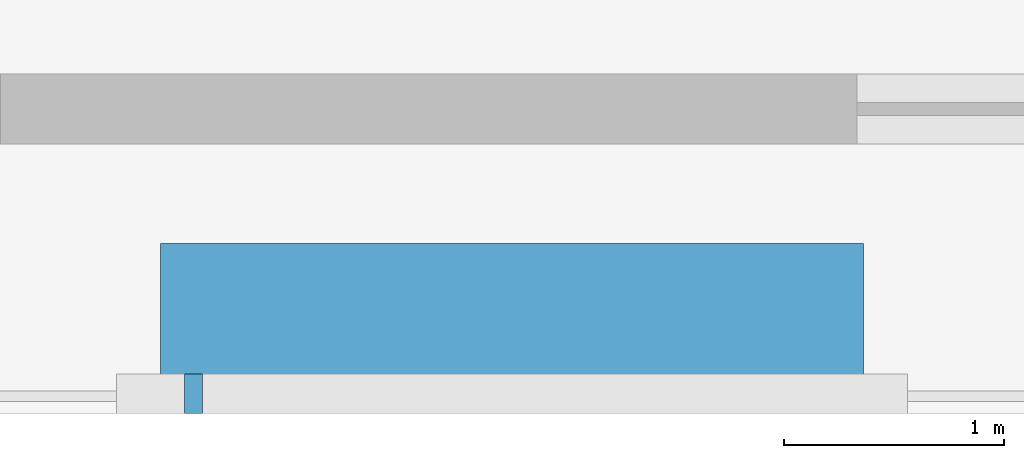
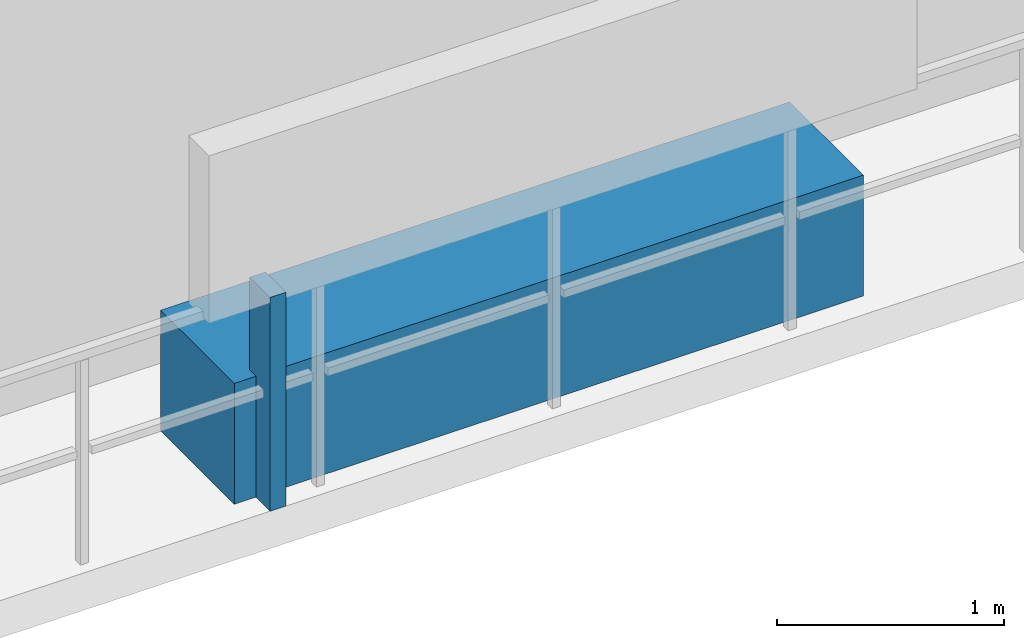
# One storey, part 30 of 35: 2 discrete accessories.
"""IFC4 building model written with IfcOpenShell, lengths in metres."""

from ifc_helpers import new_model, si_unit, direction, frame, origin, origin_2d, place, context, subcontext, project, spatial, rectangle, extrude, material, type_object, element, save


model = new_model("IFC4")

# Units and contexts
model_context = context("Model", 3, precision=1e-05, world=origin(), true_north=direction((0.0, 1.0)))
body_context = subcontext(model_context, "Body", "Model", "MODEL_VIEW")
ifc_project = project(units=[si_unit("LENGTHUNIT", "METRE"), si_unit("AREAUNIT", "SQUARE_METRE"), si_unit("VOLUMEUNIT", "CUBIC_METRE"), si_unit("PLANEANGLEUNIT", "RADIAN"), si_unit("MASSUNIT", "GRAM", prefix="KILO")], contexts=[model_context])

# Site, building, storey
site_placement = place(None, origin())
site = spatial("IfcSite", under=ifc_project, at=site_placement, CompositionType="ELEMENT")
building_placement = place(site_placement, origin())
building = spatial("IfcBuilding", under=site, at=building_placement, Name="Thornwick Lancets Civic Towers", CompositionType="ELEMENT")
storey_placement = place(building_placement, frame((0.0, 0.0, 269.10009765625)))
storey = spatial("IfcBuildingStorey", under=building, at=storey_placement, Name="L72", CompositionType="ELEMENT", Elevation=269.10009765625)

# Discrete accessories
ifc_material_1 = material(Name="Planted terracotta greenery planter", Category="masonry")
discrete_accessory_type_1 = type_object("IfcDiscreteAccessoryType", Name="ACC_PLANTER_BOX", PredefinedType="USERDEFINED", material=ifc_material_1)
discrete_accessory_1_placement = place(storey_placement, frame((25.5, 2.300048828125, 0.0), z_axis=(0.0, 0.0, 1.0), x_axis=(1.0, 0.0, 0.0)))
element("IfcDiscreteAccessory", 1, at=discrete_accessory_1_placement, inside=storey, type_object=discrete_accessory_type_1, Name="L72 Tower A Balcony Greenery Planter S", ObjectType="PLANTER", PredefinedType="USERDEFINED", context=body_context, shape_type="SweptSolid", body=[
    extrude(rectangle(XDim=3.199951171875, YDim=0.64990234375, at=origin_2d()), origin(), (0.0, 0.0, 1.0), 0.64990234375),
])
ifc_material_2 = material(Name="Stainless steel S355", Category="steel")
discrete_accessory_type_2 = type_object("IfcDiscreteAccessoryType", Name="ACC_SCREEN_BRACKET", PredefinedType="BRACKET", material=ifc_material_2)
discrete_accessory_2_placement = place(storey_placement, frame((24.050048828125, 1.93994140625, 0.0), z_axis=(0.0, 0.0, 1.0), x_axis=(1.0, 0.0, 0.0)))
element("IfcDiscreteAccessory", 2, at=discrete_accessory_2_placement, inside=storey, type_object=discrete_accessory_type_2, Name="L72 Tower A Balcony Screen Stanchion Bracket S-1", PredefinedType="BRACKET", context=body_context, shape_type="SweptSolid", body=[
    extrude(rectangle(XDim=0.080078125, YDim=0.179931640625, at=origin_2d()), origin(), (0.0, 0.0, 1.0), 1.14990234375),
])

save(model, "model.ifc")
